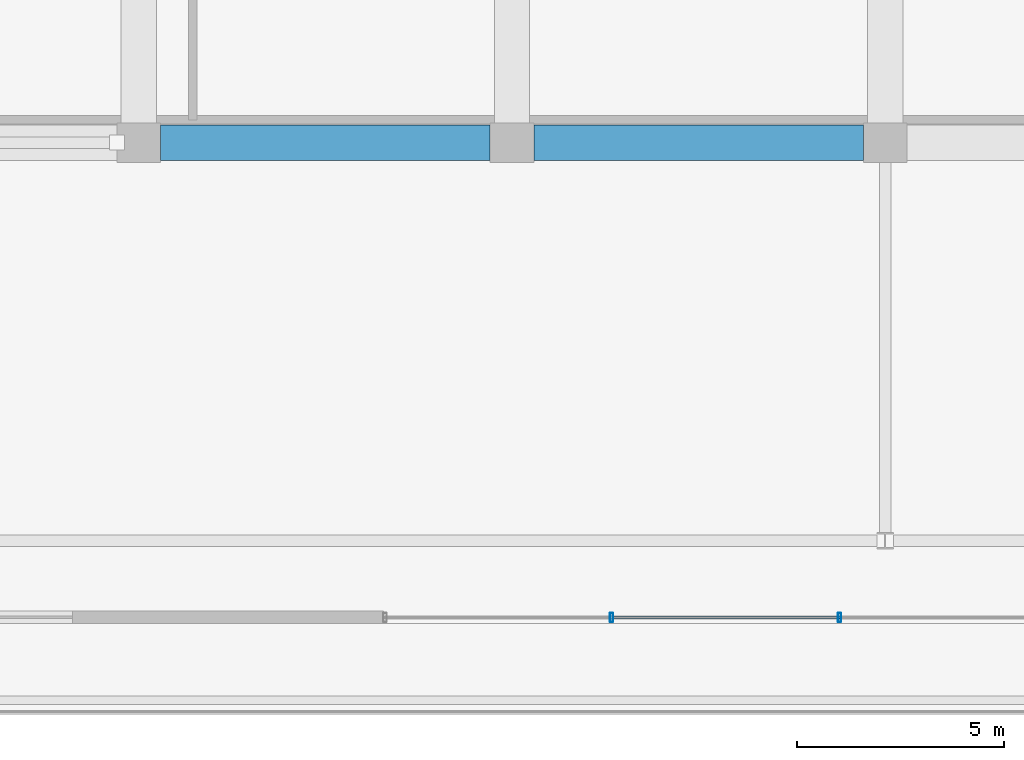
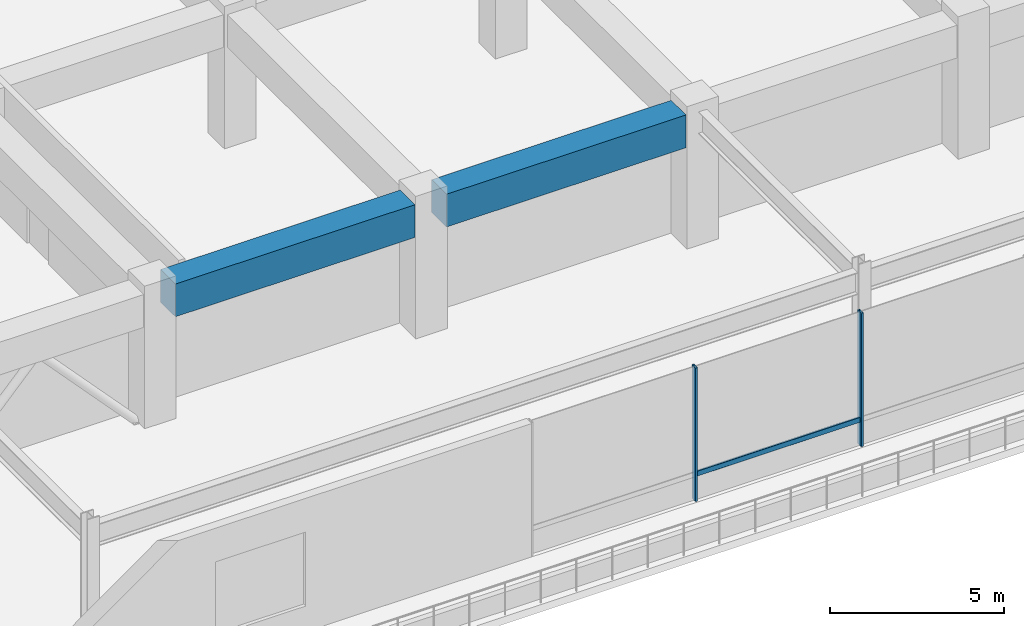
# One storey, part 10 of 38: 3 members, 2 beams, 1 element without a shape of its own.
"""IFC4 building model written with IfcOpenShell, lengths in metres."""

from ifc_helpers import new_model, si_unit, direction, frame, origin, origin_2d, place, context, subcontext, project, spatial, rectangle, hollow_rectangle, extrude, material, layer, layer_set, material_profile, profile_set, type_object, element, aggregate, save


model = new_model("IFC4")

# Units and contexts
model_context = context("Model", 3, precision=1e-05, world=origin(), true_north=direction((0.0, 1.0)))
body_context = subcontext(model_context, "Body", "Model", "MODEL_VIEW")
ifc_project = project(units=[si_unit("LENGTHUNIT", "METRE"), si_unit("AREAUNIT", "SQUARE_METRE"), si_unit("VOLUMEUNIT", "CUBIC_METRE"), si_unit("PLANEANGLEUNIT", "RADIAN"), si_unit("MASSUNIT", "GRAM", prefix="KILO")], contexts=[model_context])

# Site, building, storey
site_placement = place(None, origin())
site = spatial("IfcSite", under=ifc_project, at=site_placement, CompositionType="ELEMENT")
building_placement = place(site_placement, origin())
building = spatial("IfcBuilding", under=site, at=building_placement, Name="Korimba Cascade Residences", CompositionType="ELEMENT")
storey_placement = place(building_placement, frame((0.0, 0.0, 19.0)))
storey = spatial("IfcBuildingStorey", under=building, at=storey_placement, Name="L04", CompositionType="ELEMENT", Elevation=19.0)

# Beams
ifc_material_1 = material(Name="Concrete C65/80", Category="concrete")
ifc_material_profile_1 = material_profile(ifc_material_1, rectangle(XDim=0.85009765625, YDim=1.14990234375, at=origin_2d()), Name="Concrete C65/80")
ifc_profile_set_1 = profile_set([ifc_material_profile_1], Name="Concrete C65/80")
beam_type = type_object("IfcBeamType", Name="BM-TRF-1150", PredefinedType="T_BEAM", material=ifc_profile_set_1)
for number, where, z_axis, x_axis, name in (
    (1, (82.625, -4.199951171875, 4.10498046875), (1.0, 0.0, 0.0), (0.0, 1.0, 0.0), "L04 T2 E-W Girder Y1 Bay 2"),
    (2, (91.625, -4.199951171875, 4.10498046875), (1.0, 0.0, 0.0), (0.0, 1.0, 0.0), "L04 T2 E-W Girder Y1 Bay 3"),
):
    element("IfcBeam", number, at=place(storey_placement, frame(where, z_axis=z_axis, x_axis=x_axis)), inside=storey, type_object=beam_type, Name=name, PredefinedType="T_BEAM", context=body_context, shape_type="SweptSolid", body=[
        extrude(rectangle(XDim=0.85009765625, YDim=1.14990234375, at=origin_2d()), origin(), (0.0, 0.0, 1.0), 7.949951171875),
    ])

# Curtain wall, members
ifc_material_2 = material(Name="Anodised Aluminium Curtain Wall Framing", Category="aluminium")
ifc_layer = layer(ifc_material_2, 0.179931640625)
ifc_layer_set = layer_set([ifc_layer], Name="Anodised Aluminium Curtain Wall Framing")
curtain_wall_type = type_object("IfcCurtainWallType", Name="CW-POD-SYS1", PredefinedType="NOTDEFINED", material=ifc_layer_set)
curtain_wall_placement = place(storey_placement, origin())
curtain_wall = element("IfcCurtainWall", 3, at=curtain_wall_placement, inside=storey, type_object=curtain_wall_type, Name="L04 Curtain Wall CW-L04-POD-S", PredefinedType="NOTDEFINED")
ifc_material_3 = material(Name="Anodised Aluminium Mullion", Category="aluminium")
ifc_material_profile_2 = material_profile(ifc_material_3, hollow_rectangle(XDim=0.080078125, YDim=0.219970703125, WallThickness=0.00634765625, InnerFilletRadius=0.00634765625, OuterFilletRadius=0.0126953125, at=origin_2d()), Name="Anodised Aluminium Mullion")
ifc_profile_set_2 = profile_set([ifc_material_profile_2], Name="Anodised Aluminium Mullion")
member_type_1 = type_object("IfcMemberType", Name="CWM-MUL-220", PredefinedType="MULLION", material=ifc_profile_set_2)
member_1_placement = place(storey_placement, frame((93.5, -15.64990234375, 0.0), z_axis=(0.0, 0.0, 1.0), x_axis=(1.0, 0.0, 0.0)))
member_1 = element("IfcMember", 4, at=member_1_placement, type_object=member_type_1, Name="CW-L04-POD-S Mullion 2", PredefinedType="MULLION", context=body_context, shape_type="SweptSolid", body=[
    extrude(hollow_rectangle(XDim=0.080078125, YDim=0.219970703125, WallThickness=0.00634765625, InnerFilletRadius=0.00634765625, OuterFilletRadius=0.0126953125, at=origin_2d()), origin(), (0.0, 0.0, 1.0), 4.679931640625),
])
member_2_placement = place(storey_placement, frame((99.0, -15.64990234375, 0.0), z_axis=(0.0, 0.0, 1.0), x_axis=(1.0, 0.0, 0.0)))
member_2 = element("IfcMember", 5, at=member_2_placement, type_object=member_type_1, Name="CW-L04-POD-S Mullion 3", PredefinedType="MULLION", context=body_context, shape_type="SweptSolid", body=[
    extrude(hollow_rectangle(XDim=0.080078125, YDim=0.219970703125, WallThickness=0.00634765625, InnerFilletRadius=0.00634765625, OuterFilletRadius=0.0126953125, at=origin_2d()), origin(), (0.0, 0.0, 1.0), 4.679931640625),
])
ifc_material_4 = material(Name="Anodised Aluminium Transom", Category="aluminium")
ifc_material_profile_3 = material_profile(ifc_material_4, hollow_rectangle(XDim=0.070068359375, YDim=0.179931640625, WallThickness=0.0048828125, InnerFilletRadius=0.0048828125, OuterFilletRadius=0.010009765625, at=origin_2d()), Name="Anodised Aluminium Transom")
ifc_profile_set_3 = profile_set([ifc_material_profile_3], Name="Anodised Aluminium Transom")
member_type_2 = type_object("IfcMemberType", Name="CWM-TRN-150", PredefinedType="USERDEFINED", material=ifc_profile_set_3)
member_3_placement = place(storey_placement, frame((93.5, -15.64990234375, 0.89990234375), z_axis=(1.0, 0.0, 0.0), x_axis=(0.0, 1.0, 0.0)))
member_3 = element("IfcMember", 6, at=member_3_placement, type_object=member_type_2, Name="CW-L04-POD-S Transom 2", ObjectType="TRANSOM", PredefinedType="USERDEFINED", context=body_context, shape_type="SweptSolid", body=[
    extrude(hollow_rectangle(XDim=0.070068359375, YDim=0.179931640625, WallThickness=0.0048828125, InnerFilletRadius=0.0048828125, OuterFilletRadius=0.010009765625, at=origin_2d()), origin(), (0.0, 0.0, 1.0), 5.5),
])
aggregate(curtain_wall, [member_1, member_2, member_3])

save(model, "model.ifc")
